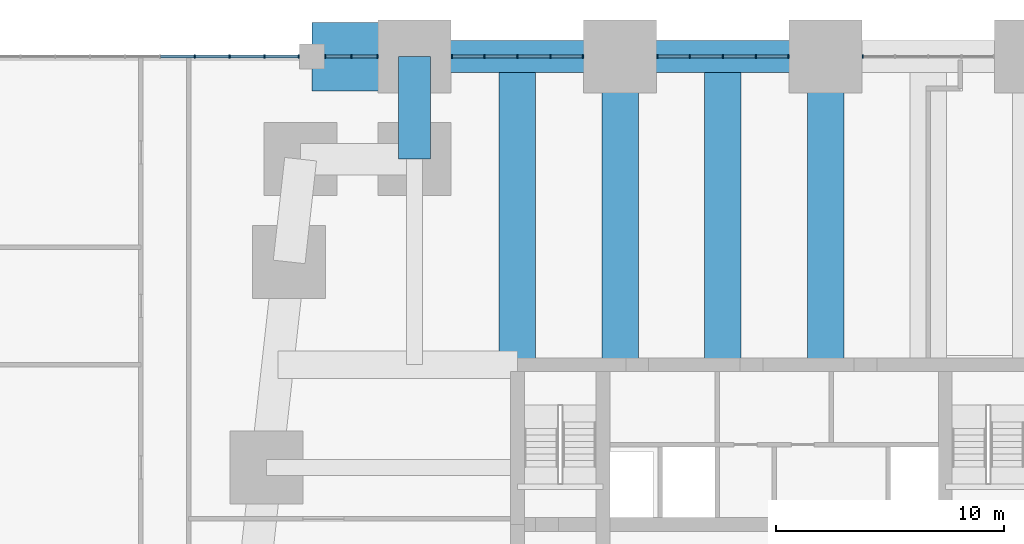
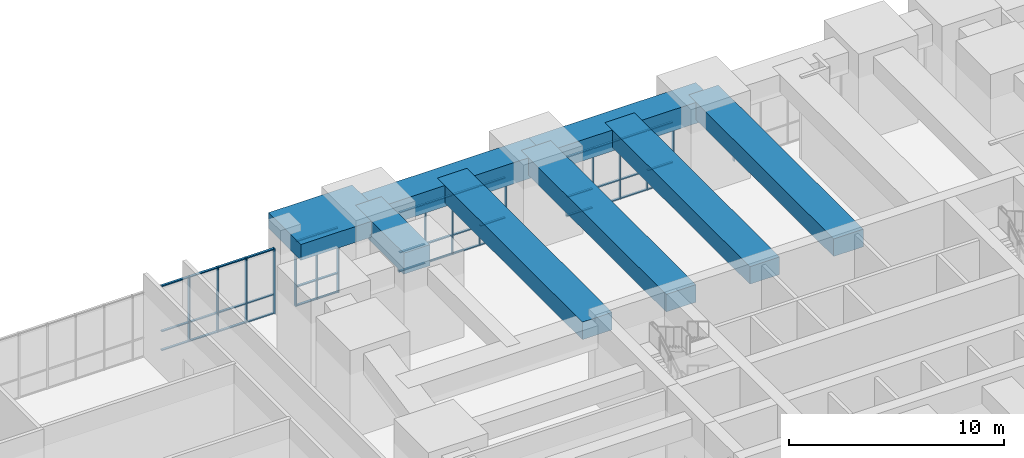
# One storey, part 9 of 22: 60 members, 8 beams, 5 elements without a shape of their own.
"""IFC4 building model written with IfcOpenShell, lengths in metres."""

from ifc_helpers import new_model, si_unit, direction, frame, origin, origin_2d, place, context, subcontext, project, spatial, rectangle, extrude, material, material_profile, profile_set, type_object, element, aggregate, save


model = new_model("IFC4")

# Units and contexts
model_context = context("Model", 3, precision=1e-05, world=origin(), true_north=direction((0.0, 1.0)))
body_context = subcontext(model_context, "Body", "Model", "MODEL_VIEW")
ifc_project = project(units=[si_unit("LENGTHUNIT", "METRE"), si_unit("AREAUNIT", "SQUARE_METRE"), si_unit("VOLUMEUNIT", "CUBIC_METRE"), si_unit("PLANEANGLEUNIT", "RADIAN"), si_unit("MASSUNIT", "GRAM", prefix="KILO")], contexts=[model_context])

# Site, building, storey
site_placement = place(None, origin())
site = spatial("IfcSite", under=ifc_project, at=site_placement, CompositionType="ELEMENT")
building_placement = place(site_placement, origin())
building = spatial("IfcBuilding", under=site, at=building_placement, Name="Kilele Tower Hotel", CompositionType="ELEMENT")
storey_placement = place(building_placement, frame((0.0, 0.0, 19.0)))
storey = spatial("IfcBuildingStorey", under=building, at=storey_placement, Name="L03", CompositionType="ELEMENT", Elevation=19.0)

# Beams
ifc_material_1 = material(Name="Concrete C60/75", Category="concrete")
ifc_material_profile_1 = material_profile(ifc_material_1, rectangle(XDim=1.60009765625, YDim=1.0, at=origin_2d()))
ifc_profile_set_1 = profile_set([ifc_material_profile_1], Name="Concrete C60/75")
beam_type_1 = type_object("IfcBeamType", Name="Beam RC 1600x1000 C60/75", PredefinedType="BEAM", material=ifc_profile_set_1)
for number, where, z_axis, x_axis, name in (
    (1, (27.0, 40.5, 4.10009765625), (0.0, -1.0, 0.0), (1.0, 0.0, 0.0), "Beam BC1 level L04"),
    (2, (22.5, 40.5, 4.10009765625), (0.0, -1.0, 0.0), (1.0, 0.0, 0.0), "Beam BC1 level L04"),
    (3, (18.0, 40.5, 4.10009765625), (0.0, -1.0, 0.0), (1.0, 0.0, 0.0), "Beam BC1 level L04"),
    (4, (13.5, 40.5, 4.10009765625), (0.0, -1.0, 0.0), (1.0, 0.0, 0.0), "Beam BC1 level L04"),
):
    element("IfcBeam", number, at=place(storey_placement, frame(where, z_axis=z_axis, x_axis=x_axis)), inside=storey, type_object=beam_type_1, Name=name, PredefinedType="BEAM", context=body_context, shape_type="SweptSolid", body=[
        extrude(rectangle(XDim=1.60009765625, YDim=1.0, at=origin_2d()), origin(), (0.0, 0.0, 1.0), 13.5),
    ])
ifc_material_2 = material(Name="Concrete C60/75", Category="concrete")
ifc_material_profile_2 = material_profile(ifc_material_2, rectangle(XDim=3.0, YDim=0.89990234375, at=origin_2d()))
ifc_profile_set_2 = profile_set([ifc_material_profile_2], Name="Concrete C60/75")
beam_type_2 = type_object("IfcBeamType", Name="Beam RC 3000x900 C60/75", PredefinedType="BEAM", material=ifc_profile_set_2)
beam_1_placement = place(storey_placement, frame((4.5, 40.5, 4.14990234375), z_axis=(1.0, 0.0, 0.0), x_axis=(0.0, 1.0, 0.0)))
element("IfcBeam", 5, at=beam_1_placement, inside=storey, type_object=beam_type_2, Name="Beam PB1 level L04", PredefinedType="BEAM", context=body_context, shape_type="SweptSolid", body=[
    extrude(rectangle(XDim=3.0, YDim=0.89990234375, at=origin_2d()), origin(), (0.0, 0.0, 1.0), 4.5),
])

# Curtain wall, member
ifc_material_3 = material(Name="Aluminium curtain wall, clear double glazing", Category="aluminium")
curtain_wall_type = type_object("IfcCurtainWallType", Name="Podium curtain wall CW-1", PredefinedType="NOTDEFINED", material=ifc_material_3)
curtain_wall_1_placement = place(storey_placement, origin())
curtain_wall_1 = element("IfcCurtainWall", 6, at=curtain_wall_1_placement, inside=storey, type_object=curtain_wall_type, Name="Podium curtain wall CW-1 L03", PredefinedType="NOTDEFINED")
ifc_material_4 = material(Name="Aluminium EN AW-6063 T6", Category="aluminium")
ifc_material_profile_3 = material_profile(ifc_material_4, rectangle(XDim=0.159912109375, YDim=0.06005859375, at=origin_2d()))
ifc_profile_set_3 = profile_set([ifc_material_profile_3], Name="Aluminium EN AW-6063 T6")
member_type_1 = type_object("IfcMemberType", Name="Mullion 60x160 CW-1", PredefinedType="MULLION", material=ifc_profile_set_3)
member_1_placement = place(storey_placement, frame((28.6298828125, 40.5, 0.0), z_axis=(0.0, 0.0, 1.0), x_axis=(0.0, -1.0, 0.0)))
member_1 = element("IfcMember", 7, at=member_1_placement, type_object=member_type_1, Name="CW-1 mullion 5", PredefinedType="MULLION", context=body_context, shape_type="SweptSolid", body=[
    extrude(rectangle(XDim=0.159912109375, YDim=0.06005859375, at=origin_2d()), origin(), (0.0, 0.0, 1.0), 3.39990234375),
])
aggregate(curtain_wall_1, [member_1])

# Curtain wall, members
curtain_wall_2_placement = place(storey_placement, origin())
curtain_wall_2 = element("IfcCurtainWall", 8, at=curtain_wall_2_placement, inside=storey, type_object=curtain_wall_type, Name="Podium curtain wall CW-1 L03", PredefinedType="NOTDEFINED")
member_2_placement = place(storey_placement, frame((25.3701171875, 40.5, 0.0), z_axis=(0.0, 0.0, 1.0), x_axis=(0.0, -1.0, 0.0)))
member_2 = element("IfcMember", 9, at=member_2_placement, type_object=member_type_1, Name="CW-1 mullion 1", PredefinedType="MULLION", context=body_context, shape_type="SweptSolid", body=[
    extrude(rectangle(XDim=0.159912109375, YDim=0.06005859375, at=origin_2d()), origin(), (0.0, 0.0, 1.0), 3.39990234375),
])
member_3_placement = place(storey_placement, frame((23.949951171875, 40.5, 0.0), z_axis=(0.0, 0.0, 1.0), x_axis=(0.0, -1.0, 0.0)))
member_3 = element("IfcMember", 10, at=member_3_placement, type_object=member_type_1, Name="CW-1 mullion 2", PredefinedType="MULLION", context=body_context, shape_type="SweptSolid", body=[
    extrude(rectangle(XDim=0.159912109375, YDim=0.06005859375, at=origin_2d()), origin(), (0.0, 0.0, 1.0), 3.39990234375),
])
member_4_placement = place(storey_placement, frame((22.5, 40.5, 0.0), z_axis=(0.0, 0.0, 1.0), x_axis=(0.0, -1.0, 0.0)))
member_4 = element("IfcMember", 11, at=member_4_placement, type_object=member_type_1, Name="CW-1 mullion 3", PredefinedType="MULLION", context=body_context, shape_type="SweptSolid", body=[
    extrude(rectangle(XDim=0.159912109375, YDim=0.06005859375, at=origin_2d()), origin(), (0.0, 0.0, 1.0), 3.39990234375),
])
member_5_placement = place(storey_placement, frame((21.050048828125, 40.5, 0.0), z_axis=(0.0, 0.0, 1.0), x_axis=(0.0, -1.0, 0.0)))
member_5 = element("IfcMember", 12, at=member_5_placement, type_object=member_type_1, Name="CW-1 mullion 4", PredefinedType="MULLION", context=body_context, shape_type="SweptSolid", body=[
    extrude(rectangle(XDim=0.159912109375, YDim=0.06005859375, at=origin_2d()), origin(), (0.0, 0.0, 1.0), 3.39990234375),
])
member_6_placement = place(storey_placement, frame((19.6298828125, 40.5, 0.0), z_axis=(0.0, 0.0, 1.0), x_axis=(0.0, -1.0, 0.0)))
member_6 = element("IfcMember", 13, at=member_6_placement, type_object=member_type_1, Name="CW-1 mullion 5", PredefinedType="MULLION", context=body_context, shape_type="SweptSolid", body=[
    extrude(rectangle(XDim=0.159912109375, YDim=0.06005859375, at=origin_2d()), origin(), (0.0, 0.0, 1.0), 3.39990234375),
])

curtain_wall_3_placement = place(storey_placement, origin())
curtain_wall_3 = element("IfcCurtainWall", 14, at=curtain_wall_3_placement, inside=storey, type_object=curtain_wall_type, Name="Podium curtain wall CW-1 L03", PredefinedType="NOTDEFINED")
member_7_placement = place(storey_placement, frame((16.3701171875, 40.5, 0.0), z_axis=(0.0, 0.0, 1.0), x_axis=(0.0, -1.0, 0.0)))
member_7 = element("IfcMember", 15, at=member_7_placement, type_object=member_type_1, Name="CW-1 mullion 1", PredefinedType="MULLION", context=body_context, shape_type="SweptSolid", body=[
    extrude(rectangle(XDim=0.159912109375, YDim=0.06005859375, at=origin_2d()), origin(), (0.0, 0.0, 1.0), 3.39990234375),
])
member_8_placement = place(storey_placement, frame((14.949951171875, 40.5, 0.0), z_axis=(0.0, 0.0, 1.0), x_axis=(0.0, -1.0, 0.0)))
member_8 = element("IfcMember", 16, at=member_8_placement, type_object=member_type_1, Name="CW-1 mullion 2", PredefinedType="MULLION", context=body_context, shape_type="SweptSolid", body=[
    extrude(rectangle(XDim=0.159912109375, YDim=0.06005859375, at=origin_2d()), origin(), (0.0, 0.0, 1.0), 3.39990234375),
])
member_9_placement = place(storey_placement, frame((13.5, 40.5, 0.0), z_axis=(0.0, 0.0, 1.0), x_axis=(0.0, -1.0, 0.0)))
member_9 = element("IfcMember", 17, at=member_9_placement, type_object=member_type_1, Name="CW-1 mullion 3", PredefinedType="MULLION", context=body_context, shape_type="SweptSolid", body=[
    extrude(rectangle(XDim=0.159912109375, YDim=0.06005859375, at=origin_2d()), origin(), (0.0, 0.0, 1.0), 3.39990234375),
])
member_10_placement = place(storey_placement, frame((12.050048828125, 40.5, 0.0), z_axis=(0.0, 0.0, 1.0), x_axis=(0.0, -1.0, 0.0)))
member_10 = element("IfcMember", 18, at=member_10_placement, type_object=member_type_1, Name="CW-1 mullion 4", PredefinedType="MULLION", context=body_context, shape_type="SweptSolid", body=[
    extrude(rectangle(XDim=0.159912109375, YDim=0.06005859375, at=origin_2d()), origin(), (0.0, 0.0, 1.0), 3.39990234375),
])
member_11_placement = place(storey_placement, frame((10.6298828125, 40.5, 0.0), z_axis=(0.0, 0.0, 1.0), x_axis=(0.0, -1.0, 0.0)))
member_11 = element("IfcMember", 19, at=member_11_placement, type_object=member_type_1, Name="CW-1 mullion 5", PredefinedType="MULLION", context=body_context, shape_type="SweptSolid", body=[
    extrude(rectangle(XDim=0.159912109375, YDim=0.06005859375, at=origin_2d()), origin(), (0.0, 0.0, 1.0), 3.39990234375),
])

curtain_wall_4_placement = place(storey_placement, origin())
curtain_wall_4 = element("IfcCurtainWall", 20, at=curtain_wall_4_placement, inside=storey, type_object=curtain_wall_type, Name="Podium curtain wall CW-1 L03", PredefinedType="NOTDEFINED")
member_12_placement = place(storey_placement, frame((7.3701171875, 40.5, 0.0), z_axis=(0.0, 0.0, 1.0), x_axis=(0.0, -1.0, 0.0)))
member_12 = element("IfcMember", 21, at=member_12_placement, type_object=member_type_1, Name="CW-1 mullion 1", PredefinedType="MULLION", context=body_context, shape_type="SweptSolid", body=[
    extrude(rectangle(XDim=0.159912109375, YDim=0.06005859375, at=origin_2d()), origin(), (0.0, 0.0, 1.0), 3.699951171875),
])
member_13_placement = place(storey_placement, frame((6.22509765625, 40.5, 0.0), z_axis=(0.0, 0.0, 1.0), x_axis=(0.0, -1.0, 0.0)))
member_13 = element("IfcMember", 22, at=member_13_placement, type_object=member_type_1, Name="CW-1 mullion 2", PredefinedType="MULLION", context=body_context, shape_type="SweptSolid", body=[
    extrude(rectangle(XDim=0.159912109375, YDim=0.06005859375, at=origin_2d()), origin(), (0.0, 0.0, 1.0), 3.699951171875),
])
member_14_placement = place(storey_placement, frame((5.080078125, 40.5, 0.0), z_axis=(0.0, 0.0, 1.0), x_axis=(0.0, -1.0, 0.0)))
member_14 = element("IfcMember", 23, at=member_14_placement, type_object=member_type_1, Name="CW-1 mullion 3", PredefinedType="MULLION", context=body_context, shape_type="SweptSolid", body=[
    extrude(rectangle(XDim=0.159912109375, YDim=0.06005859375, at=origin_2d()), origin(), (0.0, 0.0, 1.0), 3.699951171875),
])

curtain_wall_5_placement = place(storey_placement, origin())
curtain_wall_5 = element("IfcCurtainWall", 24, at=curtain_wall_5_placement, inside=storey, type_object=curtain_wall_type, Name="Podium curtain wall CW-1 L03", PredefinedType="NOTDEFINED")
member_15_placement = place(storey_placement, frame((3.919921875, 40.5, 0.0), z_axis=(0.0, 0.0, 1.0), x_axis=(0.0, -1.0, 0.0)))
member_15 = element("IfcMember", 25, at=member_15_placement, type_object=member_type_1, Name="CW-1 mullion 1", PredefinedType="MULLION", context=body_context, shape_type="SweptSolid", body=[
    extrude(rectangle(XDim=0.159912109375, YDim=0.06005859375, at=origin_2d()), origin(), (0.0, 0.0, 1.0), 3.699951171875),
])
member_16_placement = place(storey_placement, frame((2.42138671875, 40.5, 0.0), z_axis=(0.0, 0.0, 1.0), x_axis=(0.0, -1.0, 0.0)))
member_16 = element("IfcMember", 26, at=member_16_placement, type_object=member_type_1, Name="CW-1 mullion 2", PredefinedType="MULLION", context=body_context, shape_type="SweptSolid", body=[
    extrude(rectangle(XDim=0.159912109375, YDim=0.06005859375, at=origin_2d()), origin(), (0.0, 0.0, 1.0), 3.699951171875),
])
member_17_placement = place(storey_placement, frame((0.892822265625, 40.5, 0.0), z_axis=(0.0, 0.0, 1.0), x_axis=(0.0, -1.0, 0.0)))
member_17 = element("IfcMember", 27, at=member_17_placement, type_object=member_type_1, Name="CW-1 mullion 3", PredefinedType="MULLION", context=body_context, shape_type="SweptSolid", body=[
    extrude(rectangle(XDim=0.159912109375, YDim=0.06005859375, at=origin_2d()), origin(), (0.0, 0.0, 1.0), 3.699951171875),
])
member_18_placement = place(storey_placement, frame((-0.6357421875, 40.5, 0.0), z_axis=(0.0, 0.0, 1.0), x_axis=(0.0, -1.0, 0.0)))
member_18 = element("IfcMember", 28, at=member_18_placement, type_object=member_type_1, Name="CW-1 mullion 4", PredefinedType="MULLION", context=body_context, shape_type="SweptSolid", body=[
    extrude(rectangle(XDim=0.159912109375, YDim=0.06005859375, at=origin_2d()), origin(), (0.0, 0.0, 1.0), 3.699951171875),
])

# Beams
ifc_material_5 = material(Name="Concrete C60/75", Category="concrete")
ifc_material_profile_4 = material_profile(ifc_material_5, rectangle(XDim=1.39990234375, YDim=1.199951171875, at=origin_2d()))
ifc_profile_set_4 = profile_set([ifc_material_profile_4], Name="Concrete C60/75")
beam_type_3 = type_object("IfcBeamType", Name="Spandrel RC 1400x1200 C60/75", PredefinedType="SPANDREL", material=ifc_profile_set_4)
for number, where, z_axis, x_axis, name in (
    (29, (27.0, 40.5, 4.0), (-1.0, 0.0, 0.0), (0.0, -1.0, 0.0), "Spandrel SP10 level L04"),
    (30, (18.0, 40.5, 4.0), (-1.0, 0.0, 0.0), (0.0, -1.0, 0.0), "Spandrel SP10 level L04"),
):
    element("IfcBeam", number, at=place(storey_placement, frame(where, z_axis=z_axis, x_axis=x_axis)), inside=storey, type_object=beam_type_3, Name=name, PredefinedType="SPANDREL", context=body_context, shape_type="SweptSolid", body=[
        extrude(rectangle(XDim=1.39990234375, YDim=1.199951171875, at=origin_2d()), origin(), (0.0, 0.0, 1.0), 9.0),
    ])
beam_2_placement = place(storey_placement, frame((9.0, 40.5, 4.0), z_axis=(0.0, -1.0, 0.0), x_axis=(1.0, 0.0, 0.0)))
element("IfcBeam", 31, at=beam_2_placement, inside=storey, type_object=beam_type_3, Name="Spandrel SP10 level L04", PredefinedType="SPANDREL", context=body_context, shape_type="SweptSolid", body=[
    extrude(rectangle(XDim=1.39990234375, YDim=1.199951171875, at=origin_2d()), origin(), (0.0, 0.0, 1.0), 4.5),
])

# Member
ifc_material_6 = material(Name="Aluminium EN AW-6063 T6", Category="aluminium")
ifc_material_profile_5 = material_profile(ifc_material_6, rectangle(XDim=0.1201171875, YDim=0.06005859375, at=origin_2d()))
ifc_profile_set_5 = profile_set([ifc_material_profile_5], Name="Aluminium EN AW-6063 T6")
member_type_2 = type_object("IfcMemberType", Name="Transom 60x120 CW-1", PredefinedType="USERDEFINED", material=ifc_profile_set_5)
member_19_placement = place(storey_placement, frame((25.340087890625, 40.5, 0.030029296875), z_axis=(-1.0, 0.0, 0.0), x_axis=(0.0, -1.0, 0.0)))
member_19 = element("IfcMember", 32, at=member_19_placement, type_object=member_type_2, Name="CW-1 transom 1.1", ObjectType="TRANSOM", PredefinedType="USERDEFINED", context=body_context, shape_type="SweptSolid", body=[
    extrude(rectangle(XDim=0.1201171875, YDim=0.06005859375, at=origin_2d()), origin(), (0.0, 0.0, 1.0), 1.360107421875),
])

member_20_placement = place(storey_placement, frame((25.340087890625, 40.5, 1.10009765625), z_axis=(-1.0, 0.0, 0.0), x_axis=(0.0, -1.0, 0.0)))
member_20 = element("IfcMember", 33, at=member_20_placement, type_object=member_type_2, Name="CW-1 transom 1.2", ObjectType="TRANSOM", PredefinedType="USERDEFINED", context=body_context, shape_type="SweptSolid", body=[
    extrude(rectangle(XDim=0.1201171875, YDim=0.06005859375, at=origin_2d()), origin(), (0.0, 0.0, 1.0), 1.360107421875),
])

member_21_placement = place(storey_placement, frame((25.340087890625, 40.5, 3.3701171875), z_axis=(-1.0, 0.0, 0.0), x_axis=(0.0, -1.0, 0.0)))
member_21 = element("IfcMember", 34, at=member_21_placement, type_object=member_type_2, Name="CW-1 transom 1.3", ObjectType="TRANSOM", PredefinedType="USERDEFINED", context=body_context, shape_type="SweptSolid", body=[
    extrude(rectangle(XDim=0.1201171875, YDim=0.06005859375, at=origin_2d()), origin(), (0.0, 0.0, 1.0), 1.360107421875),
])

member_22_placement = place(storey_placement, frame((23.919921875, 40.5, 0.030029296875), z_axis=(-1.0, 0.0, 0.0), x_axis=(0.0, -1.0, 0.0)))
member_22 = element("IfcMember", 35, at=member_22_placement, type_object=member_type_2, Name="CW-1 transom 2.1", ObjectType="TRANSOM", PredefinedType="USERDEFINED", context=body_context, shape_type="SweptSolid", body=[
    extrude(rectangle(XDim=0.1201171875, YDim=0.06005859375, at=origin_2d()), origin(), (0.0, 0.0, 1.0), 1.389892578125),
])

member_23_placement = place(storey_placement, frame((23.919921875, 40.5, 1.10009765625), z_axis=(-1.0, 0.0, 0.0), x_axis=(0.0, -1.0, 0.0)))
member_23 = element("IfcMember", 36, at=member_23_placement, type_object=member_type_2, Name="CW-1 transom 2.2", ObjectType="TRANSOM", PredefinedType="USERDEFINED", context=body_context, shape_type="SweptSolid", body=[
    extrude(rectangle(XDim=0.1201171875, YDim=0.06005859375, at=origin_2d()), origin(), (0.0, 0.0, 1.0), 1.389892578125),
])

member_24_placement = place(storey_placement, frame((23.919921875, 40.5, 3.3701171875), z_axis=(-1.0, 0.0, 0.0), x_axis=(0.0, -1.0, 0.0)))
member_24 = element("IfcMember", 37, at=member_24_placement, type_object=member_type_2, Name="CW-1 transom 2.3", ObjectType="TRANSOM", PredefinedType="USERDEFINED", context=body_context, shape_type="SweptSolid", body=[
    extrude(rectangle(XDim=0.1201171875, YDim=0.06005859375, at=origin_2d()), origin(), (0.0, 0.0, 1.0), 1.389892578125),
])

member_25_placement = place(storey_placement, frame((22.469970703125, 40.5, 0.030029296875), z_axis=(-1.0, 0.0, 0.0), x_axis=(0.0, -1.0, 0.0)))
member_25 = element("IfcMember", 38, at=member_25_placement, type_object=member_type_2, Name="CW-1 transom 3.1", ObjectType="TRANSOM", PredefinedType="USERDEFINED", context=body_context, shape_type="SweptSolid", body=[
    extrude(rectangle(XDim=0.1201171875, YDim=0.06005859375, at=origin_2d()), origin(), (0.0, 0.0, 1.0), 1.389892578125),
])

member_26_placement = place(storey_placement, frame((22.469970703125, 40.5, 1.10009765625), z_axis=(-1.0, 0.0, 0.0), x_axis=(0.0, -1.0, 0.0)))
member_26 = element("IfcMember", 39, at=member_26_placement, type_object=member_type_2, Name="CW-1 transom 3.2", ObjectType="TRANSOM", PredefinedType="USERDEFINED", context=body_context, shape_type="SweptSolid", body=[
    extrude(rectangle(XDim=0.1201171875, YDim=0.06005859375, at=origin_2d()), origin(), (0.0, 0.0, 1.0), 1.389892578125),
])

member_27_placement = place(storey_placement, frame((22.469970703125, 40.5, 3.3701171875), z_axis=(-1.0, 0.0, 0.0), x_axis=(0.0, -1.0, 0.0)))
member_27 = element("IfcMember", 40, at=member_27_placement, type_object=member_type_2, Name="CW-1 transom 3.3", ObjectType="TRANSOM", PredefinedType="USERDEFINED", context=body_context, shape_type="SweptSolid", body=[
    extrude(rectangle(XDim=0.1201171875, YDim=0.06005859375, at=origin_2d()), origin(), (0.0, 0.0, 1.0), 1.389892578125),
])

member_28_placement = place(storey_placement, frame((21.02001953125, 40.5, 0.030029296875), z_axis=(-1.0, 0.0, 0.0), x_axis=(0.0, -1.0, 0.0)))
member_28 = element("IfcMember", 41, at=member_28_placement, type_object=member_type_2, Name="CW-1 transom 4.1", ObjectType="TRANSOM", PredefinedType="USERDEFINED", context=body_context, shape_type="SweptSolid", body=[
    extrude(rectangle(XDim=0.1201171875, YDim=0.06005859375, at=origin_2d()), origin(), (0.0, 0.0, 1.0), 1.360107421875),
])

member_29_placement = place(storey_placement, frame((21.02001953125, 40.5, 1.10009765625), z_axis=(-1.0, 0.0, 0.0), x_axis=(0.0, -1.0, 0.0)))
member_29 = element("IfcMember", 42, at=member_29_placement, type_object=member_type_2, Name="CW-1 transom 4.2", ObjectType="TRANSOM", PredefinedType="USERDEFINED", context=body_context, shape_type="SweptSolid", body=[
    extrude(rectangle(XDim=0.1201171875, YDim=0.06005859375, at=origin_2d()), origin(), (0.0, 0.0, 1.0), 1.360107421875),
])

member_30_placement = place(storey_placement, frame((21.02001953125, 40.5, 3.3701171875), z_axis=(-1.0, 0.0, 0.0), x_axis=(0.0, -1.0, 0.0)))
member_30 = element("IfcMember", 43, at=member_30_placement, type_object=member_type_2, Name="CW-1 transom 4.3", ObjectType="TRANSOM", PredefinedType="USERDEFINED", context=body_context, shape_type="SweptSolid", body=[
    extrude(rectangle(XDim=0.1201171875, YDim=0.06005859375, at=origin_2d()), origin(), (0.0, 0.0, 1.0), 1.360107421875),
])

aggregate(curtain_wall_2, [member_2, member_3, member_4, member_5, member_6, member_19, member_20, member_21, member_22, member_23, member_24, member_25, member_26, member_27, member_28, member_29, member_30])

member_31_placement = place(storey_placement, frame((16.340087890625, 40.5, 0.030029296875), z_axis=(-1.0, 0.0, 0.0), x_axis=(0.0, -1.0, 0.0)))
member_31 = element("IfcMember", 44, at=member_31_placement, type_object=member_type_2, Name="CW-1 transom 1.1", ObjectType="TRANSOM", PredefinedType="USERDEFINED", context=body_context, shape_type="SweptSolid", body=[
    extrude(rectangle(XDim=0.1201171875, YDim=0.06005859375, at=origin_2d()), origin(), (0.0, 0.0, 1.0), 1.360107421875),
])

member_32_placement = place(storey_placement, frame((16.340087890625, 40.5, 1.10009765625), z_axis=(-1.0, 0.0, 0.0), x_axis=(0.0, -1.0, 0.0)))
member_32 = element("IfcMember", 45, at=member_32_placement, type_object=member_type_2, Name="CW-1 transom 1.2", ObjectType="TRANSOM", PredefinedType="USERDEFINED", context=body_context, shape_type="SweptSolid", body=[
    extrude(rectangle(XDim=0.1201171875, YDim=0.06005859375, at=origin_2d()), origin(), (0.0, 0.0, 1.0), 1.360107421875),
])

member_33_placement = place(storey_placement, frame((16.340087890625, 40.5, 3.3701171875), z_axis=(-1.0, 0.0, 0.0), x_axis=(0.0, -1.0, 0.0)))
member_33 = element("IfcMember", 46, at=member_33_placement, type_object=member_type_2, Name="CW-1 transom 1.3", ObjectType="TRANSOM", PredefinedType="USERDEFINED", context=body_context, shape_type="SweptSolid", body=[
    extrude(rectangle(XDim=0.1201171875, YDim=0.06005859375, at=origin_2d()), origin(), (0.0, 0.0, 1.0), 1.360107421875),
])

member_34_placement = place(storey_placement, frame((14.919921875, 40.5, 0.030029296875), z_axis=(-1.0, 0.0, 0.0), x_axis=(0.0, -1.0, 0.0)))
member_34 = element("IfcMember", 47, at=member_34_placement, type_object=member_type_2, Name="CW-1 transom 2.1", ObjectType="TRANSOM", PredefinedType="USERDEFINED", context=body_context, shape_type="SweptSolid", body=[
    extrude(rectangle(XDim=0.1201171875, YDim=0.06005859375, at=origin_2d()), origin(), (0.0, 0.0, 1.0), 1.389892578125),
])

member_35_placement = place(storey_placement, frame((14.919921875, 40.5, 1.10009765625), z_axis=(-1.0, 0.0, 0.0), x_axis=(0.0, -1.0, 0.0)))
member_35 = element("IfcMember", 48, at=member_35_placement, type_object=member_type_2, Name="CW-1 transom 2.2", ObjectType="TRANSOM", PredefinedType="USERDEFINED", context=body_context, shape_type="SweptSolid", body=[
    extrude(rectangle(XDim=0.1201171875, YDim=0.06005859375, at=origin_2d()), origin(), (0.0, 0.0, 1.0), 1.389892578125),
])

member_36_placement = place(storey_placement, frame((14.919921875, 40.5, 3.3701171875), z_axis=(-1.0, 0.0, 0.0), x_axis=(0.0, -1.0, 0.0)))
member_36 = element("IfcMember", 49, at=member_36_placement, type_object=member_type_2, Name="CW-1 transom 2.3", ObjectType="TRANSOM", PredefinedType="USERDEFINED", context=body_context, shape_type="SweptSolid", body=[
    extrude(rectangle(XDim=0.1201171875, YDim=0.06005859375, at=origin_2d()), origin(), (0.0, 0.0, 1.0), 1.389892578125),
])

member_37_placement = place(storey_placement, frame((13.469970703125, 40.5, 0.030029296875), z_axis=(-1.0, 0.0, 0.0), x_axis=(0.0, -1.0, 0.0)))
member_37 = element("IfcMember", 50, at=member_37_placement, type_object=member_type_2, Name="CW-1 transom 3.1", ObjectType="TRANSOM", PredefinedType="USERDEFINED", context=body_context, shape_type="SweptSolid", body=[
    extrude(rectangle(XDim=0.1201171875, YDim=0.06005859375, at=origin_2d()), origin(), (0.0, 0.0, 1.0), 1.389892578125),
])

member_38_placement = place(storey_placement, frame((13.469970703125, 40.5, 1.10009765625), z_axis=(-1.0, 0.0, 0.0), x_axis=(0.0, -1.0, 0.0)))
member_38 = element("IfcMember", 51, at=member_38_placement, type_object=member_type_2, Name="CW-1 transom 3.2", ObjectType="TRANSOM", PredefinedType="USERDEFINED", context=body_context, shape_type="SweptSolid", body=[
    extrude(rectangle(XDim=0.1201171875, YDim=0.06005859375, at=origin_2d()), origin(), (0.0, 0.0, 1.0), 1.389892578125),
])

member_39_placement = place(storey_placement, frame((13.469970703125, 40.5, 3.3701171875), z_axis=(-1.0, 0.0, 0.0), x_axis=(0.0, -1.0, 0.0)))
member_39 = element("IfcMember", 52, at=member_39_placement, type_object=member_type_2, Name="CW-1 transom 3.3", ObjectType="TRANSOM", PredefinedType="USERDEFINED", context=body_context, shape_type="SweptSolid", body=[
    extrude(rectangle(XDim=0.1201171875, YDim=0.06005859375, at=origin_2d()), origin(), (0.0, 0.0, 1.0), 1.389892578125),
])

member_40_placement = place(storey_placement, frame((12.02001953125, 40.5, 0.030029296875), z_axis=(-1.0, 0.0, 0.0), x_axis=(0.0, -1.0, 0.0)))
member_40 = element("IfcMember", 53, at=member_40_placement, type_object=member_type_2, Name="CW-1 transom 4.1", ObjectType="TRANSOM", PredefinedType="USERDEFINED", context=body_context, shape_type="SweptSolid", body=[
    extrude(rectangle(XDim=0.1201171875, YDim=0.06005859375, at=origin_2d()), origin(), (0.0, 0.0, 1.0), 1.360107421875),
])

member_41_placement = place(storey_placement, frame((12.02001953125, 40.5, 1.10009765625), z_axis=(-1.0, 0.0, 0.0), x_axis=(0.0, -1.0, 0.0)))
member_41 = element("IfcMember", 54, at=member_41_placement, type_object=member_type_2, Name="CW-1 transom 4.2", ObjectType="TRANSOM", PredefinedType="USERDEFINED", context=body_context, shape_type="SweptSolid", body=[
    extrude(rectangle(XDim=0.1201171875, YDim=0.06005859375, at=origin_2d()), origin(), (0.0, 0.0, 1.0), 1.360107421875),
])

member_42_placement = place(storey_placement, frame((12.02001953125, 40.5, 3.3701171875), z_axis=(-1.0, 0.0, 0.0), x_axis=(0.0, -1.0, 0.0)))
member_42 = element("IfcMember", 55, at=member_42_placement, type_object=member_type_2, Name="CW-1 transom 4.3", ObjectType="TRANSOM", PredefinedType="USERDEFINED", context=body_context, shape_type="SweptSolid", body=[
    extrude(rectangle(XDim=0.1201171875, YDim=0.06005859375, at=origin_2d()), origin(), (0.0, 0.0, 1.0), 1.360107421875),
])

aggregate(curtain_wall_3, [member_7, member_8, member_9, member_10, member_11, member_31, member_32, member_33, member_34, member_35, member_36, member_37, member_38, member_39, member_40, member_41, member_42])

member_43_placement = place(storey_placement, frame((7.340087890625, 40.5, 0.030029296875), z_axis=(-1.0, 0.0, 0.0), x_axis=(0.0, -1.0, 0.0)))
member_43 = element("IfcMember", 56, at=member_43_placement, type_object=member_type_2, Name="CW-1 transom 1.1", ObjectType="TRANSOM", PredefinedType="USERDEFINED", context=body_context, shape_type="SweptSolid", body=[
    extrude(rectangle(XDim=0.1201171875, YDim=0.06005859375, at=origin_2d()), origin(), (0.0, 0.0, 1.0), 1.085205078125),
])

member_44_placement = place(storey_placement, frame((7.340087890625, 40.5, 1.10009765625), z_axis=(-1.0, 0.0, 0.0), x_axis=(0.0, -1.0, 0.0)))
member_44 = element("IfcMember", 57, at=member_44_placement, type_object=member_type_2, Name="CW-1 transom 1.2", ObjectType="TRANSOM", PredefinedType="USERDEFINED", context=body_context, shape_type="SweptSolid", body=[
    extrude(rectangle(XDim=0.1201171875, YDim=0.06005859375, at=origin_2d()), origin(), (0.0, 0.0, 1.0), 1.085205078125),
])

member_45_placement = place(storey_placement, frame((7.340087890625, 40.5, 3.669921875), z_axis=(-1.0, 0.0, 0.0), x_axis=(0.0, -1.0, 0.0)))
member_45 = element("IfcMember", 58, at=member_45_placement, type_object=member_type_2, Name="CW-1 transom 1.3", ObjectType="TRANSOM", PredefinedType="USERDEFINED", context=body_context, shape_type="SweptSolid", body=[
    extrude(rectangle(XDim=0.1201171875, YDim=0.06005859375, at=origin_2d()), origin(), (0.0, 0.0, 1.0), 1.085205078125),
])

member_46_placement = place(storey_placement, frame((6.195068359375, 40.5, 0.030029296875), z_axis=(-1.0, 0.0, 0.0), x_axis=(0.0, -1.0, 0.0)))
member_46 = element("IfcMember", 59, at=member_46_placement, type_object=member_type_2, Name="CW-1 transom 2.1", ObjectType="TRANSOM", PredefinedType="USERDEFINED", context=body_context, shape_type="SweptSolid", body=[
    extrude(rectangle(XDim=0.1201171875, YDim=0.06005859375, at=origin_2d()), origin(), (0.0, 0.0, 1.0), 1.0849609375),
])

member_47_placement = place(storey_placement, frame((6.195068359375, 40.5, 1.10009765625), z_axis=(-1.0, 0.0, 0.0), x_axis=(0.0, -1.0, 0.0)))
member_47 = element("IfcMember", 60, at=member_47_placement, type_object=member_type_2, Name="CW-1 transom 2.2", ObjectType="TRANSOM", PredefinedType="USERDEFINED", context=body_context, shape_type="SweptSolid", body=[
    extrude(rectangle(XDim=0.1201171875, YDim=0.06005859375, at=origin_2d()), origin(), (0.0, 0.0, 1.0), 1.0849609375),
])

member_48_placement = place(storey_placement, frame((6.195068359375, 40.5, 3.669921875), z_axis=(-1.0, 0.0, 0.0), x_axis=(0.0, -1.0, 0.0)))
member_48 = element("IfcMember", 61, at=member_48_placement, type_object=member_type_2, Name="CW-1 transom 2.3", ObjectType="TRANSOM", PredefinedType="USERDEFINED", context=body_context, shape_type="SweptSolid", body=[
    extrude(rectangle(XDim=0.1201171875, YDim=0.06005859375, at=origin_2d()), origin(), (0.0, 0.0, 1.0), 1.0849609375),
])

aggregate(curtain_wall_4, [member_12, member_13, member_14, member_43, member_44, member_45, member_46, member_47, member_48])

member_49_placement = place(storey_placement, frame((3.889892578125, 40.5, 0.030029296875), z_axis=(-1.0, 0.0, 0.0), x_axis=(0.0, -1.0, 0.0)))
member_49 = element("IfcMember", 62, at=member_49_placement, type_object=member_type_2, Name="CW-1 transom 1.1", ObjectType="TRANSOM", PredefinedType="USERDEFINED", context=body_context, shape_type="SweptSolid", body=[
    extrude(rectangle(XDim=0.1201171875, YDim=0.06005859375, at=origin_2d()), origin(), (0.0, 0.0, 1.0), 1.4384765625),
])

member_50_placement = place(storey_placement, frame((3.889892578125, 40.5, 1.10009765625), z_axis=(-1.0, 0.0, 0.0), x_axis=(0.0, -1.0, 0.0)))
member_50 = element("IfcMember", 63, at=member_50_placement, type_object=member_type_2, Name="CW-1 transom 1.2", ObjectType="TRANSOM", PredefinedType="USERDEFINED", context=body_context, shape_type="SweptSolid", body=[
    extrude(rectangle(XDim=0.1201171875, YDim=0.06005859375, at=origin_2d()), origin(), (0.0, 0.0, 1.0), 1.4384765625),
])

member_51_placement = place(storey_placement, frame((3.889892578125, 40.5, 3.669921875), z_axis=(-1.0, 0.0, 0.0), x_axis=(0.0, -1.0, 0.0)))
member_51 = element("IfcMember", 64, at=member_51_placement, type_object=member_type_2, Name="CW-1 transom 1.3", ObjectType="TRANSOM", PredefinedType="USERDEFINED", context=body_context, shape_type="SweptSolid", body=[
    extrude(rectangle(XDim=0.1201171875, YDim=0.06005859375, at=origin_2d()), origin(), (0.0, 0.0, 1.0), 1.4384765625),
])

member_52_placement = place(storey_placement, frame((2.391357421875, 40.5, 0.030029296875), z_axis=(-1.0, 0.0, 0.0), x_axis=(0.0, -1.0, 0.0)))
member_52 = element("IfcMember", 65, at=member_52_placement, type_object=member_type_2, Name="CW-1 transom 2.1", ObjectType="TRANSOM", PredefinedType="USERDEFINED", context=body_context, shape_type="SweptSolid", body=[
    extrude(rectangle(XDim=0.1201171875, YDim=0.06005859375, at=origin_2d()), origin(), (0.0, 0.0, 1.0), 1.468505859375),
])

member_53_placement = place(storey_placement, frame((2.391357421875, 40.5, 1.10009765625), z_axis=(-1.0, 0.0, 0.0), x_axis=(0.0, -1.0, 0.0)))
member_53 = element("IfcMember", 66, at=member_53_placement, type_object=member_type_2, Name="CW-1 transom 2.2", ObjectType="TRANSOM", PredefinedType="USERDEFINED", context=body_context, shape_type="SweptSolid", body=[
    extrude(rectangle(XDim=0.1201171875, YDim=0.06005859375, at=origin_2d()), origin(), (0.0, 0.0, 1.0), 1.468505859375),
])

member_54_placement = place(storey_placement, frame((2.391357421875, 40.5, 3.669921875), z_axis=(-1.0, 0.0, 0.0), x_axis=(0.0, -1.0, 0.0)))
member_54 = element("IfcMember", 67, at=member_54_placement, type_object=member_type_2, Name="CW-1 transom 2.3", ObjectType="TRANSOM", PredefinedType="USERDEFINED", context=body_context, shape_type="SweptSolid", body=[
    extrude(rectangle(XDim=0.1201171875, YDim=0.06005859375, at=origin_2d()), origin(), (0.0, 0.0, 1.0), 1.468505859375),
])

member_55_placement = place(storey_placement, frame((0.86279296875, 40.5, 0.030029296875), z_axis=(-1.0, 0.0, 0.0), x_axis=(0.0, -1.0, 0.0)))
member_55 = element("IfcMember", 68, at=member_55_placement, type_object=member_type_2, Name="CW-1 transom 3.1", ObjectType="TRANSOM", PredefinedType="USERDEFINED", context=body_context, shape_type="SweptSolid", body=[
    extrude(rectangle(XDim=0.1201171875, YDim=0.06005859375, at=origin_2d()), origin(), (0.0, 0.0, 1.0), 1.468505859375),
])

member_56_placement = place(storey_placement, frame((0.86279296875, 40.5, 1.10009765625), z_axis=(-1.0, 0.0, 0.0), x_axis=(0.0, -1.0, 0.0)))
member_56 = element("IfcMember", 69, at=member_56_placement, type_object=member_type_2, Name="CW-1 transom 3.2", ObjectType="TRANSOM", PredefinedType="USERDEFINED", context=body_context, shape_type="SweptSolid", body=[
    extrude(rectangle(XDim=0.1201171875, YDim=0.06005859375, at=origin_2d()), origin(), (0.0, 0.0, 1.0), 1.468505859375),
])

member_57_placement = place(storey_placement, frame((0.86279296875, 40.5, 3.669921875), z_axis=(-1.0, 0.0, 0.0), x_axis=(0.0, -1.0, 0.0)))
member_57 = element("IfcMember", 70, at=member_57_placement, type_object=member_type_2, Name="CW-1 transom 3.3", ObjectType="TRANSOM", PredefinedType="USERDEFINED", context=body_context, shape_type="SweptSolid", body=[
    extrude(rectangle(XDim=0.1201171875, YDim=0.06005859375, at=origin_2d()), origin(), (0.0, 0.0, 1.0), 1.468505859375),
])

member_58_placement = place(storey_placement, frame((-0.665771484375, 40.5, 0.030029296875), z_axis=(-1.0, 0.0, 0.0), x_axis=(0.0, -1.0, 0.0)))
member_58 = element("IfcMember", 71, at=member_58_placement, type_object=member_type_2, Name="CW-1 transom 4.1", ObjectType="TRANSOM", PredefinedType="USERDEFINED", context=body_context, shape_type="SweptSolid", body=[
    extrude(rectangle(XDim=0.1201171875, YDim=0.06005859375, at=origin_2d()), origin(), (0.0, 0.0, 1.0), 1.468505859375),
])

member_59_placement = place(storey_placement, frame((-0.665771484375, 40.5, 1.10009765625), z_axis=(-1.0, 0.0, 0.0), x_axis=(0.0, -1.0, 0.0)))
member_59 = element("IfcMember", 72, at=member_59_placement, type_object=member_type_2, Name="CW-1 transom 4.2", ObjectType="TRANSOM", PredefinedType="USERDEFINED", context=body_context, shape_type="SweptSolid", body=[
    extrude(rectangle(XDim=0.1201171875, YDim=0.06005859375, at=origin_2d()), origin(), (0.0, 0.0, 1.0), 1.468505859375),
])

member_60_placement = place(storey_placement, frame((-0.665771484375, 40.5, 3.669921875), z_axis=(-1.0, 0.0, 0.0), x_axis=(0.0, -1.0, 0.0)))
member_60 = element("IfcMember", 73, at=member_60_placement, type_object=member_type_2, Name="CW-1 transom 4.3", ObjectType="TRANSOM", PredefinedType="USERDEFINED", context=body_context, shape_type="SweptSolid", body=[
    extrude(rectangle(XDim=0.1201171875, YDim=0.06005859375, at=origin_2d()), origin(), (0.0, 0.0, 1.0), 1.468505859375),
])

aggregate(curtain_wall_5, [member_15, member_16, member_17, member_18, member_49, member_50, member_51, member_52, member_53, member_54, member_55, member_56, member_57, member_58, member_59, member_60])

save(model, "model.ifc")
